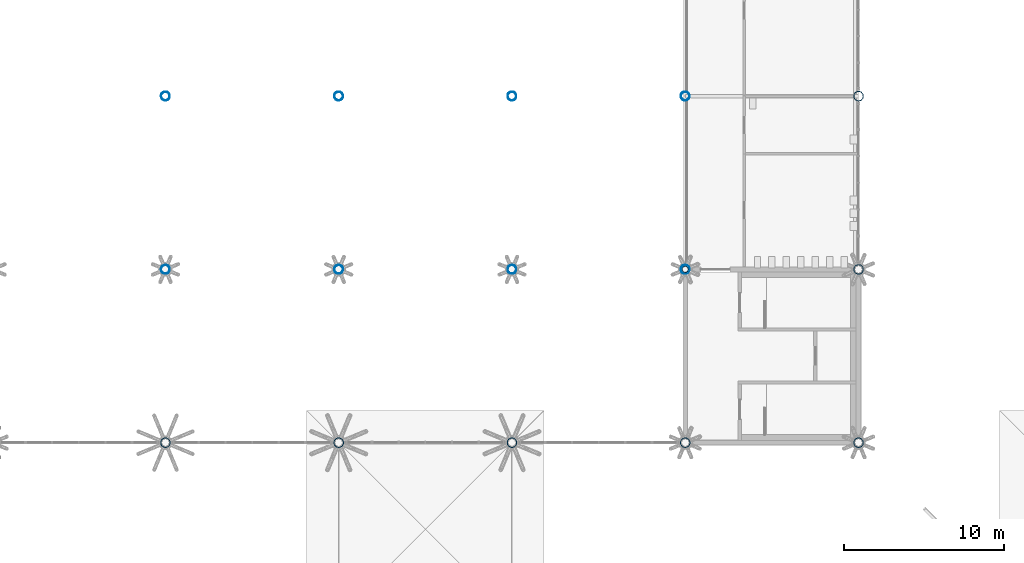
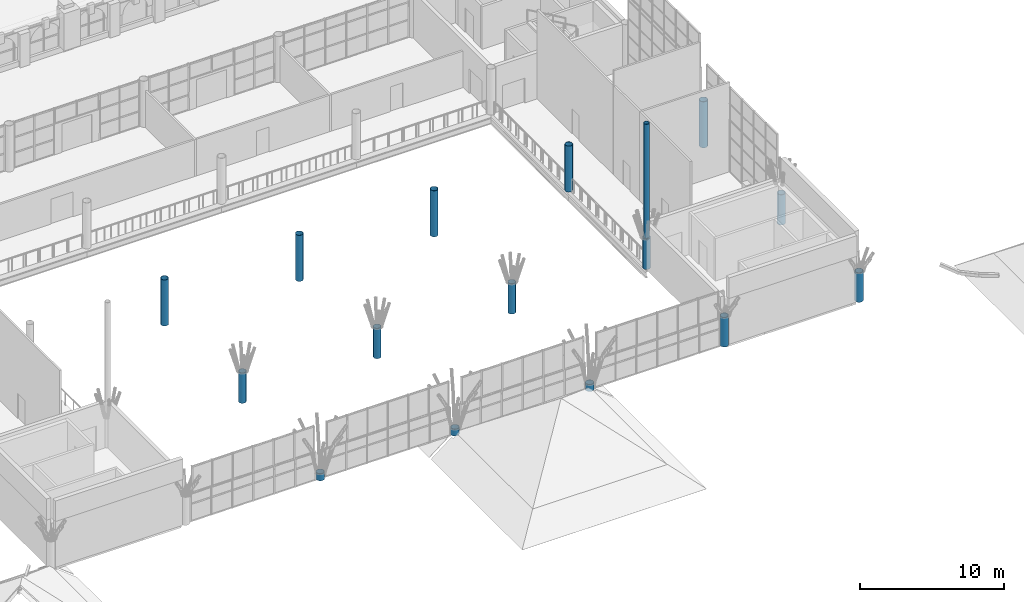
# One storey, part 4 of 95: 16 columns.
"""IFC4 building model written with IfcOpenShell, lengths in metres."""

from ifc_helpers import new_model, si_unit, direction, frame, origin, origin_2d, place, context, subcontext, project, spatial, hollow_circle, extrude, material, material_profile, profile_set, type_object, element, save


model = new_model("IFC4")

# Units and contexts
model_context = context("Model", 3, precision=1e-05, world=origin(), true_north=direction((0.0, 1.0)))
body_context = subcontext(model_context, "Body", "Model", "MODEL_VIEW")
ifc_project = project(units=[si_unit("LENGTHUNIT", "METRE"), si_unit("AREAUNIT", "SQUARE_METRE"), si_unit("VOLUMEUNIT", "CUBIC_METRE"), si_unit("PLANEANGLEUNIT", "RADIAN"), si_unit("MASSUNIT", "GRAM", prefix="KILO")], contexts=[model_context])

# Site, building, storey
site_placement = place(None, origin())
site = spatial("IfcSite", under=ifc_project, at=site_placement, CompositionType="ELEMENT")
building_placement = place(site_placement, origin())
building = spatial("IfcBuilding", under=site, at=building_placement, Name="Magnolia Steps Interchange", CompositionType="ELEMENT")
storey_placement = place(building_placement, frame((0.0, 0.0, 4.800048828125)))
storey = spatial("IfcBuildingStorey", under=building, at=storey_placement, Name="L01", CompositionType="ELEMENT", Elevation=4.800048828125)

# Columns
ifc_material_1 = material(Name="Steel Q355B", Category="steel")
ifc_material_profile_1 = material_profile(ifc_material_1, hollow_circle(Radius=0.202880859375, WallThickness=0.01611328125, at=origin_2d()), Name="CHS406x16")
ifc_profile_set_1 = profile_set([ifc_material_profile_1], Name="Steel Q355B")
column_type_1 = type_object("IfcColumnType", Name="Mast CHS406x16", PredefinedType="COLUMN", material=ifc_profile_set_1)
column_1_placement = place(storey_placement, frame((107.199951171875, 53.199951171875, 2.59423828125), z_axis=(0.0, 0.0, 1.0), x_axis=(1.0, 0.0, 0.0)))
element("IfcColumn", 1, at=column_1_placement, inside=storey, type_object=column_type_1, Name="Mast SP-H-SE", PredefinedType="COLUMN", context=body_context, shape_type="SweptSolid", body=[
    extrude(hollow_circle(Radius=0.202880859375, WallThickness=0.01611328125, at=origin_2d()), origin(), (0.0, 0.0, 1.0), 9.654541015625),
])
ifc_material_2 = material(Name="Steel Q355B", Category="steel")
ifc_material_profile_2 = material_profile(ifc_material_2, hollow_circle(Radius=0.279541015625, WallThickness=0.02001953125, at=origin_2d()), Name="CHS559x20")
ifc_profile_set_2 = profile_set([ifc_material_profile_2], Name="Steel Q355B")
column_type_2 = type_object("IfcColumnType", Name="Tree trunk CHS559x20", PredefinedType="COLUMN", material=ifc_profile_set_2)
column_2_placement = place(storey_placement, frame((74.800048828125, 53.199951171875, 0.0), z_axis=(0.0, 0.0, 1.0), x_axis=(1.0, 0.0, 0.0)))
element("IfcColumn", 2, at=column_2_placement, inside=storey, type_object=column_type_2, Name="Tree trunk TH03B", PredefinedType="COLUMN", context=body_context, shape_type="SweptSolid", body=[
    extrude(hollow_circle(Radius=0.279541015625, WallThickness=0.02001953125, at=origin_2d()), origin(), (0.0, 0.0, 1.0), 2.564453125),
])
column_3_placement = place(storey_placement, frame((74.800048828125, 64.0, 0.0), z_axis=(0.0, 0.0, 1.0), x_axis=(1.0, 0.0, 0.0)))
element("IfcColumn", 3, at=column_3_placement, inside=storey, type_object=column_type_2, Name="Tree trunk TH03C", PredefinedType="COLUMN", context=body_context, shape_type="SweptSolid", body=[
    extrude(hollow_circle(Radius=0.279541015625, WallThickness=0.02001953125, at=origin_2d()), origin(), (0.0, 0.0, 1.0), 3.89990234375),
])
column_4_placement = place(storey_placement, frame((85.60009765625, 53.199951171875, 0.0), z_axis=(0.0, 0.0, 1.0), x_axis=(1.0, 0.0, 0.0)))
element("IfcColumn", 4, at=column_4_placement, inside=storey, type_object=column_type_2, Name="Tree trunk TH04B", PredefinedType="COLUMN", context=body_context, shape_type="SweptSolid", body=[
    extrude(hollow_circle(Radius=0.279541015625, WallThickness=0.02001953125, at=origin_2d()), origin(), (0.0, 0.0, 1.0), 2.564453125),
])
column_5_placement = place(storey_placement, frame((85.60009765625, 64.0, 0.0), z_axis=(0.0, 0.0, 1.0), x_axis=(1.0, 0.0, 0.0)))
element("IfcColumn", 5, at=column_5_placement, inside=storey, type_object=column_type_2, Name="Tree trunk TH04C", PredefinedType="COLUMN", context=body_context, shape_type="SweptSolid", body=[
    extrude(hollow_circle(Radius=0.279541015625, WallThickness=0.02001953125, at=origin_2d()), origin(), (0.0, 0.0, 1.0), 3.89990234375),
])
column_6_placement = place(storey_placement, frame((96.39990234375, 53.199951171875, 0.0), z_axis=(0.0, 0.0, 1.0), x_axis=(1.0, 0.0, 0.0)))
element("IfcColumn", 6, at=column_6_placement, inside=storey, type_object=column_type_2, Name="Tree trunk TH05B", PredefinedType="COLUMN", context=body_context, shape_type="SweptSolid", body=[
    extrude(hollow_circle(Radius=0.279541015625, WallThickness=0.02001953125, at=origin_2d()), origin(), (0.0, 0.0, 1.0), 2.564453125),
])
column_7_placement = place(storey_placement, frame((96.39990234375, 64.0, 0.0), z_axis=(0.0, 0.0, 1.0), x_axis=(1.0, 0.0, 0.0)))
element("IfcColumn", 7, at=column_7_placement, inside=storey, type_object=column_type_2, Name="Tree trunk TH05C", PredefinedType="COLUMN", context=body_context, shape_type="SweptSolid", body=[
    extrude(hollow_circle(Radius=0.279541015625, WallThickness=0.02001953125, at=origin_2d()), origin(), (0.0, 0.0, 1.0), 3.89990234375),
])
column_8_placement = place(storey_placement, frame((107.199951171875, 53.199951171875, 0.0), z_axis=(0.0, 0.0, 1.0), x_axis=(1.0, 0.0, 0.0)))
element("IfcColumn", 8, at=column_8_placement, inside=storey, type_object=column_type_2, Name="Tree trunk TH06B", PredefinedType="COLUMN", context=body_context, shape_type="SweptSolid", body=[
    extrude(hollow_circle(Radius=0.279541015625, WallThickness=0.02001953125, at=origin_2d()), origin(), (0.0, 0.0, 1.0), 2.564453125),
])
column_9_placement = place(storey_placement, frame((107.199951171875, 64.0, 0.0), z_axis=(0.0, 0.0, 1.0), x_axis=(1.0, 0.0, 0.0)))
element("IfcColumn", 9, at=column_9_placement, inside=storey, type_object=column_type_2, Name="Tree trunk TH06C", PredefinedType="COLUMN", context=body_context, shape_type="SweptSolid", body=[
    extrude(hollow_circle(Radius=0.279541015625, WallThickness=0.02001953125, at=origin_2d()), origin(), (0.0, 0.0, 1.0), 3.89990234375),
])
ifc_material_3 = material(Name="Steel Q355B", Category="steel")
ifc_material_profile_3 = material_profile(ifc_material_3, hollow_circle(Radius=0.304931640625, WallThickness=0.02490234375, at=origin_2d()), Name="CHS610x25")
ifc_profile_set_3 = profile_set([ifc_material_profile_3], Name="Steel Q355B")
column_type_3 = type_object("IfcColumnType", Name="Tree trunk CHS610x25", PredefinedType="COLUMN", material=ifc_profile_set_3)
for number, where, z_axis, x_axis, name in (
    (10, (74.800048828125, 42.39990234375, 0.0), (0.0, 0.0, 1.0), (1.0, 0.0, 0.0), "Tree trunk TH03A"),
    (11, (85.60009765625, 42.39990234375, 0.0), (0.0, 0.0, 1.0), (1.0, 0.0, 0.0), "Tree trunk TH04A"),
    (12, (96.39990234375, 42.39990234375, 0.0), (0.0, 0.0, 1.0), (1.0, 0.0, 0.0), "Tree trunk TH05A"),
):
    element("IfcColumn", number, at=place(storey_placement, frame(where, z_axis=z_axis, x_axis=x_axis)), inside=storey, type_object=column_type_3, Name=name, PredefinedType="COLUMN", context=body_context, shape_type="SweptSolid", body=[
        extrude(hollow_circle(Radius=0.304931640625, WallThickness=0.02490234375, at=origin_2d()), origin(), (0.0, 0.0, 1.0), 0.5888671875),
    ])
for number, where, z_axis, x_axis, name in (
    (13, (107.199951171875, 42.39990234375, 0.0), (0.0, 0.0, 1.0), (1.0, 0.0, 0.0), "Tree trunk TH06A"),
    (14, (118.0, 42.39990234375, 0.0), (0.0, 0.0, 1.0), (1.0, 0.0, 0.0), "Tree trunk TH07A"),
):
    element("IfcColumn", number, at=place(storey_placement, frame(where, z_axis=z_axis, x_axis=x_axis)), inside=storey, type_object=column_type_3, Name=name, PredefinedType="COLUMN", context=body_context, shape_type="SweptSolid", body=[
        extrude(hollow_circle(Radius=0.304931640625, WallThickness=0.02490234375, at=origin_2d()), origin(), (0.0, 0.0, 1.0), 2.489990234375),
    ])
column_10_placement = place(storey_placement, frame((118.0, 53.199951171875, 0.0), z_axis=(0.0, 0.0, 1.0), x_axis=(1.0, 0.0, 0.0)))
element("IfcColumn", 15, at=column_10_placement, inside=storey, type_object=column_type_3, Name="Tree trunk TH07B", PredefinedType="COLUMN", context=body_context, shape_type="SweptSolid", body=[
    extrude(hollow_circle(Radius=0.304931640625, WallThickness=0.02490234375, at=origin_2d()), origin(), (0.0, 0.0, 1.0), 2.564453125),
])
column_11_placement = place(storey_placement, frame((118.0, 64.0, 0.0), z_axis=(0.0, 0.0, 1.0), x_axis=(1.0, 0.0, 0.0)))
element("IfcColumn", 16, at=column_11_placement, inside=storey, type_object=column_type_3, Name="Tree trunk TH07C", PredefinedType="COLUMN", context=body_context, shape_type="SweptSolid", body=[
    extrude(hollow_circle(Radius=0.304931640625, WallThickness=0.02490234375, at=origin_2d()), origin(), (0.0, 0.0, 1.0), 3.89990234375),
])

save(model, "model.ifc")
